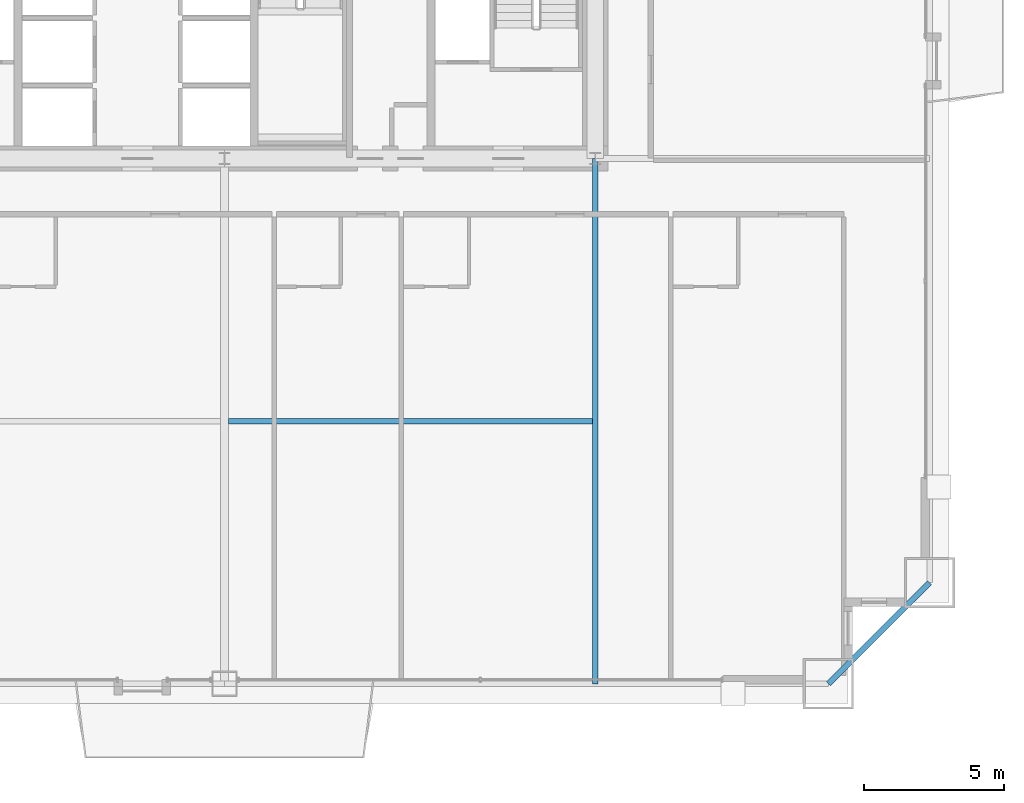
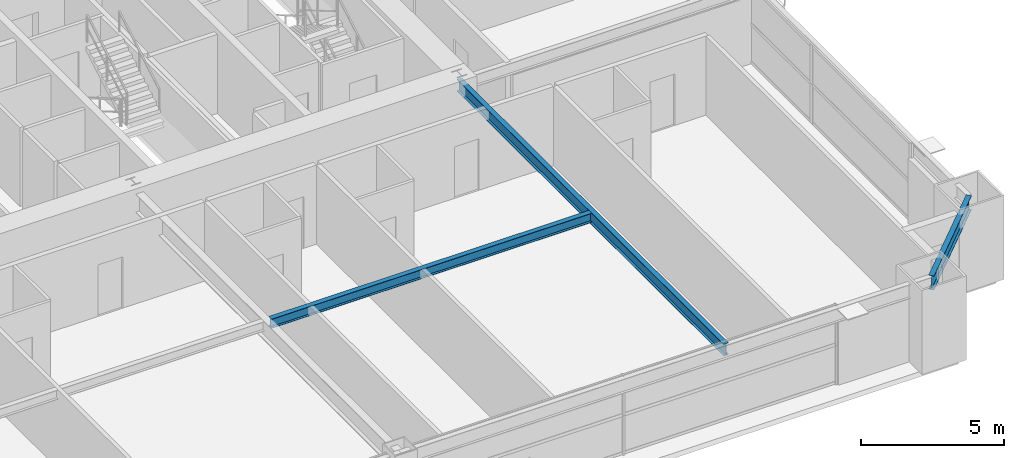
# One storey, part 17 of 43: 3 beams.
"""IFC4 building model written with IfcOpenShell, lengths in metres."""

from ifc_helpers import new_model, si_unit, direction, frame, origin, origin_2d, place, context, subcontext, project, spatial, i_section, extrude, source, transform, mapped, material, material_profile, profile_set, type_object, element, save


model = new_model("IFC4")

# Units and contexts
model_context = context("Model", 3, precision=1e-05, world=origin(), true_north=direction((0.0, 1.0)))
body_context = subcontext(model_context, "Body", "Model", "MODEL_VIEW")
ifc_project = project(units=[si_unit("LENGTHUNIT", "METRE"), si_unit("AREAUNIT", "SQUARE_METRE"), si_unit("VOLUMEUNIT", "CUBIC_METRE"), si_unit("PLANEANGLEUNIT", "RADIAN"), si_unit("MASSUNIT", "GRAM", prefix="KILO"), si_unit("THERMODYNAMICTEMPERATUREUNIT", "KELVIN"), si_unit("POWERUNIT", "WATT")], contexts=[model_context])

# Site, building, storey
site_placement = place(None, origin())
site = spatial("IfcSite", under=ifc_project, at=site_placement, CompositionType="ELEMENT")
building_placement = place(site_placement, origin())
building = spatial("IfcBuilding", under=site, at=building_placement, Name="Yuzanri Waterfront Tower", CompositionType="ELEMENT")
storey_placement = place(building_placement, frame((0.0, 0.0, 71.199951171875)))
storey = spatial("IfcBuildingStorey", under=building, at=storey_placement, Name="L18", CompositionType="ELEMENT", Elevation=71.199951171875)

# Beams
ifc_material_1 = material(Name="Steel Q355B", Category="steel")
ifc_material_profile_1 = material_profile(ifc_material_1, i_section(OverallWidth=0.199951171875, OverallDepth=0.60009765625, WebThickness=0.010986328125, FlangeThickness=0.01708984375, at=origin_2d()), Name="HN 600x200x11x17")
ifc_profile_set_1 = profile_set([ifc_material_profile_1], Name="Steel Q355B")
beam_type_1 = type_object("IfcBeamType", Name="Perimeter Spandrel Q355B HN 600x200", PredefinedType="SPANDREL", material=ifc_profile_set_1)
shared_shape_1 = source(origin(), body_context, "Body", "SweptSolid", [
    extrude(i_section(OverallWidth=0.199951171875, OverallDepth=0.60009765625, WebThickness=0.010986328125, FlangeThickness=0.01708984375, at=origin_2d()), origin(), (0.0, 0.0, 1.0), 5.09130859375),
])
beam_1_placement = place(storey_placement, frame((58.5, 0.699951171875, 3.080078125), z_axis=(0.707106781187, 0.707106781187, 0.0), x_axis=(-0.707106781187, 0.707106781187, 0.0)))
element("IfcBeam", 1, at=beam_1_placement, inside=storey, type_object=beam_type_1, Name="L18 Perimeter Spandrel S3-E1", PredefinedType="SPANDREL", context=body_context, shape_type="MappedRepresentation", body=[
    mapped(shared_shape_1, transform((0.0, 0.0, 0.0), scale=1.0)),
])
ifc_material_2 = material(Name="Steel Q355B", Category="steel")
ifc_material_profile_2 = material_profile(ifc_material_2, i_section(OverallWidth=0.199951171875, OverallDepth=0.5, WebThickness=0.010009765625, FlangeThickness=0.01611328125, at=origin_2d()), Name="HN 500x200x10x16")
ifc_profile_set_2 = profile_set([ifc_material_profile_2], Name="Steel Q355B")
beam_type_2 = type_object("IfcBeamType", Name="Secondary Floor Beam Q355B HN 500x200", PredefinedType="BEAM", material=ifc_profile_set_2)
shared_shape_2 = source(origin(), body_context, "Body", "SweptSolid", [
    extrude(i_section(OverallWidth=0.199951171875, OverallDepth=0.5, WebThickness=0.010009765625, FlangeThickness=0.01611328125, at=origin_2d()), origin(), (0.0, 0.0, 1.0), 18.699951171875),
])
beam_2_placement = place(storey_placement, frame((50.199951171875, 19.39990234375, 3.130126953125), z_axis=(0.0, -1.0, 0.0), x_axis=(1.0, 0.0, 0.0)))
element("IfcBeam", 2, at=beam_2_placement, inside=storey, type_object=beam_type_2, Name="L18 South-East Core Line Beam", PredefinedType="BEAM", context=body_context, shape_type="MappedRepresentation", body=[
    mapped(shared_shape_2, transform((0.0, 0.0, 0.0), scale=1.0)),
])
ifc_material_3 = material(Name="Steel Q355B", Category="steel")
ifc_material_profile_3 = material_profile(ifc_material_3, i_section(OverallWidth=0.199951171875, OverallDepth=0.39990234375, WebThickness=0.008056640625, FlangeThickness=0.012939453125, at=origin_2d()), Name="HN 400x200x8x13")
ifc_profile_set_3 = profile_set([ifc_material_profile_3], Name="Steel Q355B")
beam_type_3 = type_object("IfcBeamType", Name="Floor Joist Q355B HN 400x200", PredefinedType="JOIST", material=ifc_profile_set_3)
shared_shape_3 = source(origin(), body_context, "Body", "SweptSolid", [
    extrude(i_section(OverallWidth=0.199951171875, OverallDepth=0.39990234375, WebThickness=0.008056640625, FlangeThickness=0.012939453125, at=origin_2d()), origin(), (0.0, 0.0, 1.0), 12.9501953125),
])
beam_3_placement = place(storey_placement, frame((37.14990234375, 10.050048828125, 3.179931640625), z_axis=(1.0, 0.0, 0.0), x_axis=(0.0, 1.0, 0.0)))
element("IfcBeam", 3, at=beam_3_placement, inside=storey, type_object=beam_type_3, Name="L18 South Bay Joist E", PredefinedType="JOIST", context=body_context, shape_type="MappedRepresentation", body=[
    mapped(shared_shape_3, transform((0.0, 0.0, 0.0), scale=1.0)),
])

save(model, "model.ifc")
